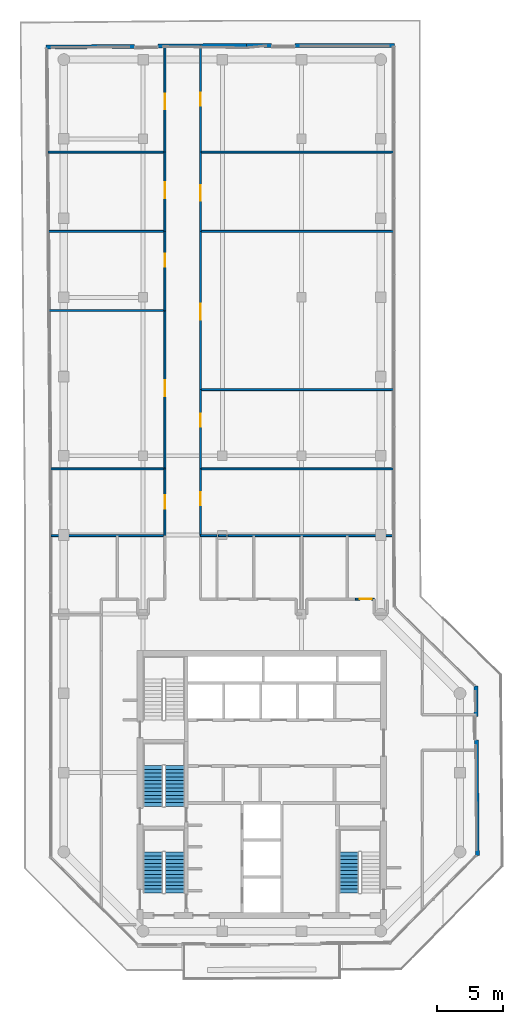
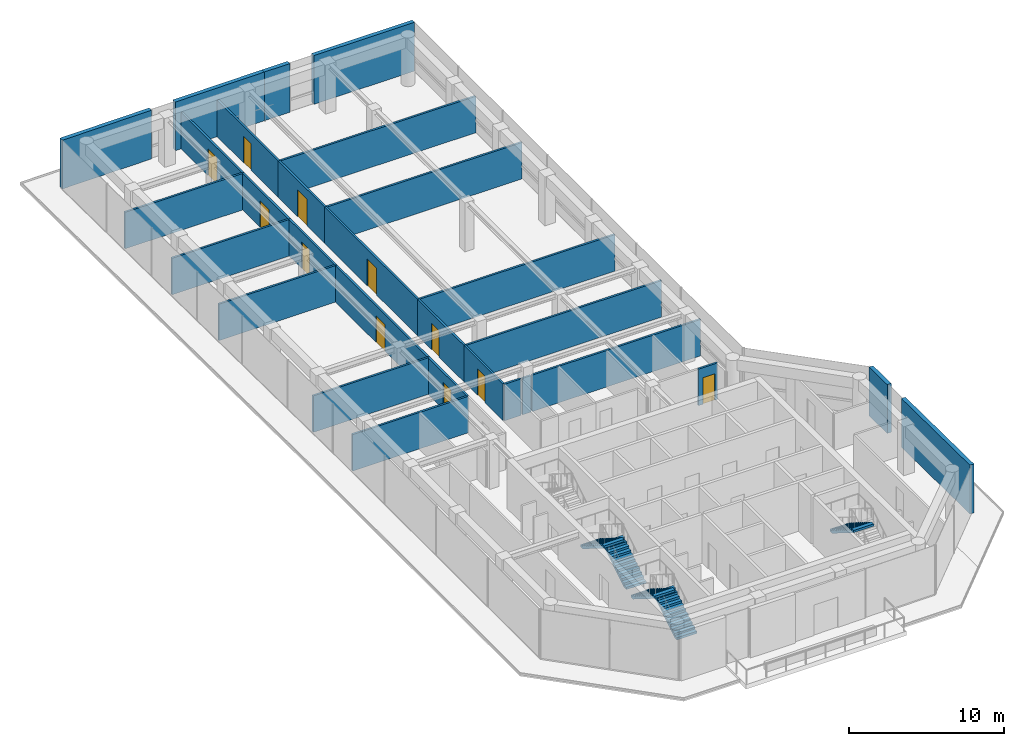
# One storey, part 16 of 19: 29 walls, 11 doors, 5 stair flights, 11 openings, 3 elements without a shape of their own.
"""IFC4 building model written with IfcOpenShell, lengths in metres."""

from ifc_helpers import new_model, si_unit, direction, frame, frame_2d, origin, place, context, subcontext, project, spatial, polyline, rectangle, outline, extrude, material, layer, layer_set, type_object, element, fill, aggregate, save


model = new_model("IFC4")

# Units and contexts
model_context = context("Model", 3, precision=1e-05, world=origin(), true_north=direction((0.0, 1.0)))
body_context = subcontext(model_context, "Body", "Model", "MODEL_VIEW")
ifc_project = project(units=[si_unit("LENGTHUNIT", "METRE"), si_unit("AREAUNIT", "SQUARE_METRE"), si_unit("VOLUMEUNIT", "CUBIC_METRE"), si_unit("PLANEANGLEUNIT", "RADIAN"), si_unit("MASSUNIT", "GRAM", prefix="KILO")], contexts=[model_context])

# Site, building, storey
site_placement = place(None, origin())
site = spatial("IfcSite", under=ifc_project, at=site_placement, CompositionType="ELEMENT")
building_placement = place(site_placement, origin())
building = spatial("IfcBuilding", under=site, at=building_placement, Name="Welwitschia Terrace Campus", CompositionType="ELEMENT")
storey_placement = place(building_placement, frame((0.0, 0.0, 226.39990234375)))
storey = spatial("IfcBuildingStorey", under=building, at=storey_placement, Name="L50", CompositionType="ELEMENT", Elevation=226.39990234375)

# Walls
ifc_material_1 = material(Name="Gypsum board on steel studs", Category="steel")
ifc_layer_1 = layer(ifc_material_1, 0.14990234375)
ifc_layer_set_1 = layer_set([ifc_layer_1], Name="Gypsum board on steel studs")
wall_type_1 = type_object("IfcWallType", Name="Corridor partition 150 EI 30", PredefinedType="PARTITIONING", material=ifc_layer_set_1)
wall_1_placement = place(storey_placement, frame((-1.2099609375, 63.0, 0.0), z_axis=(0.0, 0.0, 1.0), x_axis=(1.0, 0.0, 0.0)))
element("IfcWall", 1, at=wall_1_placement, inside=storey, type_object=wall_type_1, Name="Partition", PredefinedType="PARTITIONING", context=body_context, shape_type="SweptSolid", body=[
    extrude(rectangle(XDim=8.85986328125, YDim=0.14990234375, at=frame_2d((4.429931640625, 0.0))), origin(), (0.0, 0.0, 1.0), 2.880126953125),
])
wall_2_placement = place(storey_placement, frame((-1.159912109375, 57.0, 0.0), z_axis=(0.0, 0.0, 1.0), x_axis=(1.0, 0.0, 0.0)))
element("IfcWall", 2, at=wall_2_placement, inside=storey, type_object=wall_type_1, Name="Partition", PredefinedType="PARTITIONING", context=body_context, shape_type="SweptSolid", body=[
    extrude(rectangle(XDim=8.809814453125, YDim=0.14990234375, at=frame_2d((4.40478515625, 0.0))), origin(), (0.0, 0.0, 1.0), 2.880126953125),
])
wall_3_placement = place(storey_placement, frame((-1.110107421875, 51.0, 0.0), z_axis=(0.0, 0.0, 1.0), x_axis=(1.0, 0.0, 0.0)))
element("IfcWall", 3, at=wall_3_placement, inside=storey, type_object=wall_type_1, Name="Partition", PredefinedType="PARTITIONING", context=body_context, shape_type="SweptSolid", body=[
    extrude(rectangle(XDim=8.760009765625, YDim=0.14990234375, at=frame_2d((4.3798828125, 0.0))), origin(), (0.0, 0.0, 1.0), 2.880126953125),
])
wall_4_placement = place(storey_placement, frame((-1.0, 39.0, 0.0), z_axis=(0.0, 0.0, 1.0), x_axis=(1.0, 0.0, 0.0)))
element("IfcWall", 4, at=wall_4_placement, inside=storey, type_object=wall_type_1, Name="Partition", PredefinedType="PARTITIONING", context=body_context, shape_type="SweptSolid", body=[
    extrude(rectangle(XDim=8.64990234375, YDim=0.14990234375, at=frame_2d((4.324951171875, 0.0))), origin(), (0.0, 0.0, 1.0), 2.880126953125),
])
wall_5_placement = place(storey_placement, frame((-0.97998046875, 33.949951171875, 0.0), z_axis=(0.0, 0.0, 1.0), x_axis=(1.0, 0.0, 0.0)))
element("IfcWall", 5, at=wall_5_placement, inside=storey, type_object=wall_type_1, Name="Partition", PredefinedType="PARTITIONING", context=body_context, shape_type="SweptSolid", body=[
    extrude(rectangle(XDim=8.6298828125, YDim=0.14990234375, at=frame_2d((4.31494140625, 0.0))), origin(), (0.0, 0.0, 1.0), 2.880126953125),
])

# Wall, opening, door
wall_6_placement = place(storey_placement, frame((7.64990234375, 33.949951171875, 0.0), z_axis=(0.0, 0.0, 1.0), x_axis=(0.0, 1.0, 0.0)))
wall_6 = element("IfcWall", 6, at=wall_6_placement, inside=storey, type_object=wall_type_1, Name="Partition", PredefinedType="PARTITIONING", context=body_context, shape_type="SweptSolid", body=[
    extrude(rectangle(XDim=5.050048828125, YDim=0.14990234375, at=frame_2d((2.52490234375, 0.0))), origin(), (0.0, 0.0, 1.0), 2.880126953125),
])
opening_1_placement = place(wall_6_placement, frame((2.050048828125, 0.0, 0.0)))
opening_1 = element("IfcOpeningElement", 7, at=opening_1_placement, cuts=wall_6, Name="Opening DI10", PredefinedType="OPENING", context=body_context, shape_type="SweptSolid", body=[
    extrude(rectangle(XDim=1.0, YDim=2.10009765625, at=frame_2d((0.5, 1.050048828125))), frame((0.0, 0.0849609375, 0.0), z_axis=(0.0, -1.0, 0.0), x_axis=(1.0, 0.0, 0.0)), (0.0, 0.0, 1.0), 0.169921875),
])
ifc_material_2 = material(Name="Timber veneered door", Category="wood")
door_type_1 = type_object("IfcDoorType", Name="Interior door DI10", OperationType="NOTDEFINED", PredefinedType="DOOR", material=ifc_material_2)
door_1_placement = place(opening_1_placement, origin())
door_1 = element("IfcDoor", 8, at=door_1_placement, inside=storey, type_object=door_type_1, Name="Door L50 933", OperationType="SINGLE_SWING_RIGHT", OverallHeight=2.10009765625, OverallWidth=1.0, PredefinedType="DOOR", context=body_context, shape_type="SweptSolid", body=[
    extrude(rectangle(XDim=1.0, YDim=2.10009765625, at=frame_2d((0.5, 1.050048828125))), frame((0.0, 0.02490234375, 0.0), z_axis=(0.0, -1.0, 0.0), x_axis=(1.0, 0.0, 0.0)), (0.0, 0.0, 1.0), 0.050048828125),
])
fill(opening_1, door_1)

wall_7_placement = place(storey_placement, frame((7.64990234375, 51.0, 0.0), z_axis=(0.0, 0.0, 1.0), x_axis=(0.0, -1.0, 0.0)))
wall_7 = element("IfcWall", 9, at=wall_7_placement, inside=storey, type_object=wall_type_1, Name="Partition", PredefinedType="PARTITIONING", context=body_context, shape_type="SweptSolid", body=[
    extrude(rectangle(XDim=12.0, YDim=0.14990234375, at=frame_2d((6.0, 0.0))), origin(), (0.0, 0.0, 1.0), 2.880126953125),
])
opening_2_placement = place(wall_7_placement, frame((5.300048828125, 0.0, 0.0)))
opening_2 = element("IfcOpeningElement", 10, at=opening_2_placement, cuts=wall_7, Name="Opening DI12", PredefinedType="OPENING", context=body_context, shape_type="SweptSolid", body=[
    extrude(rectangle(XDim=1.199951171875, YDim=2.10009765625, at=frame_2d((0.60009765625, 1.050048828125))), frame((0.0, 0.0849609375, 0.0), z_axis=(0.0, -1.0, 0.0), x_axis=(1.0, 0.0, 0.0)), (0.0, 0.0, 1.0), 0.169921875),
])
ifc_material_3 = material(Name="Timber veneered door", Category="wood")
door_type_2 = type_object("IfcDoorType", Name="Interior door DI12", OperationType="NOTDEFINED", PredefinedType="DOOR", material=ifc_material_3)
door_2_placement = place(opening_2_placement, origin())
door_2 = element("IfcDoor", 11, at=door_2_placement, inside=storey, type_object=door_type_2, Name="Door L50 934", OperationType="SINGLE_SWING_LEFT", OverallHeight=2.10009765625, OverallWidth=1.199951171875, PredefinedType="DOOR", context=body_context, shape_type="SweptSolid", body=[
    extrude(rectangle(XDim=1.199951171875, YDim=2.10009765625, at=frame_2d((0.60009765625, 1.050048828125))), frame((0.0, 0.02490234375, 0.0), z_axis=(0.0, -1.0, 0.0), x_axis=(1.0, 0.0, 0.0)), (0.0, 0.0, 1.0), 0.050048828125),
])
fill(opening_2, door_2)

wall_8_placement = place(storey_placement, frame((7.64990234375, 51.0, 0.0), z_axis=(0.0, 0.0, 1.0), x_axis=(0.0, 1.0, 0.0)))
wall_8 = element("IfcWall", 12, at=wall_8_placement, inside=storey, type_object=wall_type_1, Name="Partition", PredefinedType="PARTITIONING", context=body_context, shape_type="SweptSolid", body=[
    extrude(rectangle(XDim=6.0, YDim=0.14990234375, at=frame_2d((3.0, 0.0))), origin(), (0.0, 0.0, 1.0), 2.880126953125),
])
opening_3_placement = place(wall_8_placement, frame((3.300048828125, 0.0, 0.0)))
opening_3 = element("IfcOpeningElement", 13, at=opening_3_placement, cuts=wall_8, Name="Opening DI10", PredefinedType="OPENING", context=body_context, shape_type="SweptSolid", body=[
    extrude(rectangle(XDim=1.0, YDim=2.10009765625, at=frame_2d((0.5, 1.050048828125))), frame((0.0, 0.0849609375, 0.0), z_axis=(0.0, -1.0, 0.0), x_axis=(1.0, 0.0, 0.0)), (0.0, 0.0, 1.0), 0.169921875),
])
door_3_placement = place(opening_3_placement, origin())
door_3 = element("IfcDoor", 14, at=door_3_placement, inside=storey, type_object=door_type_1, Name="Door L50 935", OperationType="SINGLE_SWING_RIGHT", OverallHeight=2.10009765625, OverallWidth=1.0, PredefinedType="DOOR", context=body_context, shape_type="SweptSolid", body=[
    extrude(rectangle(XDim=1.0, YDim=2.10009765625, at=frame_2d((0.5, 1.050048828125))), frame((0.0, 0.02490234375, 0.0), z_axis=(0.0, -1.0, 0.0), x_axis=(1.0, 0.0, 0.0)), (0.0, 0.0, 1.0), 0.050048828125),
])
fill(opening_3, door_3)

wall_9_placement = place(storey_placement, frame((7.64990234375, 63.0, 0.0), z_axis=(0.0, 0.0, 1.0), x_axis=(0.0, -1.0, 0.0)))
wall_9 = element("IfcWall", 15, at=wall_9_placement, inside=storey, type_object=wall_type_1, Name="Partition", PredefinedType="PARTITIONING", context=body_context, shape_type="SweptSolid", body=[
    extrude(rectangle(XDim=6.0, YDim=0.14990234375, at=frame_2d((3.0, 0.0))), origin(), (0.0, 0.0, 1.0), 2.880126953125),
])
opening_4_placement = place(wall_9_placement, frame((2.300048828125, 0.0, 0.0)))
opening_4 = element("IfcOpeningElement", 16, at=opening_4_placement, cuts=wall_9, Name="Opening DI12", PredefinedType="OPENING", context=body_context, shape_type="SweptSolid", body=[
    extrude(rectangle(XDim=1.199951171875, YDim=2.10009765625, at=frame_2d((0.60009765625, 1.050048828125))), frame((0.0, 0.0849609375, 0.0), z_axis=(0.0, -1.0, 0.0), x_axis=(1.0, 0.0, 0.0)), (0.0, 0.0, 1.0), 0.169921875),
])
door_4_placement = place(opening_4_placement, origin())
door_4 = element("IfcDoor", 17, at=door_4_placement, inside=storey, type_object=door_type_2, Name="Door L50 936", OperationType="SINGLE_SWING_LEFT", OverallHeight=2.10009765625, OverallWidth=1.199951171875, PredefinedType="DOOR", context=body_context, shape_type="SweptSolid", body=[
    extrude(rectangle(XDim=1.199951171875, YDim=2.10009765625, at=frame_2d((0.60009765625, 1.050048828125))), frame((0.0, 0.02490234375, 0.0), z_axis=(0.0, -1.0, 0.0), x_axis=(1.0, 0.0, 0.0)), (0.0, 0.0, 1.0), 0.050048828125),
])
fill(opening_4, door_4)

wall_10_placement = place(storey_placement, frame((7.64990234375, 71.0361328125, 0.0), z_axis=(0.0, 0.0, 1.0), x_axis=(0.0, -1.0, 0.0)))
wall_10 = element("IfcWall", 18, at=wall_10_placement, inside=storey, type_object=wall_type_1, Name="Partition", PredefinedType="PARTITIONING", context=body_context, shape_type="SweptSolid", body=[
    extrude(rectangle(XDim=8.0361328125, YDim=0.14990234375, at=frame_2d((4.01806640625, 0.0))), origin(), (0.0, 0.0, 1.0), 2.880126953125),
])
opening_5_placement = place(wall_10_placement, frame((3.606201171875, 0.0, 0.0)))
opening_5 = element("IfcOpeningElement", 19, at=opening_5_placement, cuts=wall_10, Name="Opening DI12", PredefinedType="OPENING", context=body_context, shape_type="SweptSolid", body=[
    extrude(rectangle(XDim=1.199951171875, YDim=2.10009765625, at=frame_2d((0.60009765625, 1.050048828125))), frame((0.0, 0.0849609375, 0.0), z_axis=(0.0, -1.0, 0.0), x_axis=(1.0, 0.0, 0.0)), (0.0, 0.0, 1.0), 0.169921875),
])
door_5_placement = place(opening_5_placement, origin())
door_5 = element("IfcDoor", 20, at=door_5_placement, inside=storey, type_object=door_type_2, Name="Door L50 937", OperationType="SINGLE_SWING_RIGHT", OverallHeight=2.10009765625, OverallWidth=1.199951171875, PredefinedType="DOOR", context=body_context, shape_type="SweptSolid", body=[
    extrude(rectangle(XDim=1.199951171875, YDim=2.10009765625, at=frame_2d((0.60009765625, 1.050048828125))), frame((0.0, 0.02490234375, 0.0), z_axis=(0.0, -1.0, 0.0), x_axis=(1.0, 0.0, 0.0)), (0.0, 0.0, 1.0), 0.050048828125),
])
fill(opening_5, door_5)

# Wall
wall_11_placement = place(storey_placement, frame((10.35009765625, 33.949951171875, 0.0), z_axis=(0.0, 0.0, 1.0), x_axis=(1.0, 0.0, 0.0)))
element("IfcWall", 21, at=wall_11_placement, inside=storey, type_object=wall_type_1, Name="Partition", PredefinedType="PARTITIONING", context=body_context, shape_type="SweptSolid", body=[
    extrude(rectangle(XDim=1.241943359375, YDim=0.14990234375, at=frame_2d((0.62109375, 0.0))), origin(), (0.0, 0.0, 1.0), 2.880126953125),
])

# Wall, opening, door
wall_12_placement = place(storey_placement, frame((10.35009765625, 39.0, 0.0), z_axis=(0.0, 0.0, 1.0), x_axis=(0.0, -1.0, 0.0)))
wall_12 = element("IfcWall", 22, at=wall_12_placement, inside=storey, type_object=wall_type_1, Name="Partition", PredefinedType="PARTITIONING", context=body_context, shape_type="SweptSolid", body=[
    extrude(rectangle(XDim=5.050048828125, YDim=0.14990234375, at=frame_2d((2.52490234375, 0.0))), origin(), (0.0, 0.0, 1.0), 2.880126953125),
])
opening_6_placement = place(wall_12_placement, frame((1.75, 0.0, 0.0)))
opening_6 = element("IfcOpeningElement", 23, at=opening_6_placement, cuts=wall_12, Name="Opening DI10", PredefinedType="OPENING", context=body_context, shape_type="SweptSolid", body=[
    extrude(rectangle(XDim=1.0, YDim=2.10009765625, at=frame_2d((0.5, 1.050048828125))), frame((0.0, 0.0849609375, 0.0), z_axis=(0.0, -1.0, 0.0), x_axis=(1.0, 0.0, 0.0)), (0.0, 0.0, 1.0), 0.169921875),
])
door_6_placement = place(opening_6_placement, origin())
door_6 = element("IfcDoor", 24, at=door_6_placement, inside=storey, type_object=door_type_1, Name="Door L50 938", OperationType="SINGLE_SWING_LEFT", OverallHeight=2.10009765625, OverallWidth=1.0, PredefinedType="DOOR", context=body_context, shape_type="SweptSolid", body=[
    extrude(rectangle(XDim=1.0, YDim=2.10009765625, at=frame_2d((0.5, 1.050048828125))), frame((0.0, 0.02490234375, 0.0), z_axis=(0.0, -1.0, 0.0), x_axis=(1.0, 0.0, 0.0)), (0.0, 0.0, 1.0), 0.050048828125),
])
fill(opening_6, door_6)

# Wall
wall_13_placement = place(storey_placement, frame((10.35009765625, 39.0, 0.0), z_axis=(0.0, 0.0, 1.0), x_axis=(1.0, 0.0, 0.0)))
element("IfcWall", 25, at=wall_13_placement, inside=storey, type_object=wall_type_1, Name="Partition", PredefinedType="PARTITIONING", context=body_context, shape_type="SweptSolid", body=[
    extrude(rectangle(XDim=14.6298828125, YDim=0.14990234375, at=frame_2d((7.31494140625, 0.0))), origin(), (0.0, 0.0, 1.0), 2.880126953125),
])

# Wall, opening, door
wall_14_placement = place(storey_placement, frame((10.35009765625, 45.0, 0.0), z_axis=(0.0, 0.0, 1.0), x_axis=(0.0, -1.0, 0.0)))
wall_14 = element("IfcWall", 26, at=wall_14_placement, inside=storey, type_object=wall_type_1, Name="Partition", PredefinedType="PARTITIONING", context=body_context, shape_type="SweptSolid", body=[
    extrude(rectangle(XDim=6.0, YDim=0.14990234375, at=frame_2d((3.0, 0.0))), origin(), (0.0, 0.0, 1.0), 2.880126953125),
])
opening_7_placement = place(wall_14_placement, frame((1.800048828125, 0.0, 0.0)))
opening_7 = element("IfcOpeningElement", 27, at=opening_7_placement, cuts=wall_14, Name="Opening DI10", PredefinedType="OPENING", context=body_context, shape_type="SweptSolid", body=[
    extrude(rectangle(XDim=1.0, YDim=2.10009765625, at=frame_2d((0.5, 1.050048828125))), frame((0.0, 0.0849609375, 0.0), z_axis=(0.0, -1.0, 0.0), x_axis=(1.0, 0.0, 0.0)), (0.0, 0.0, 1.0), 0.169921875),
])
door_7_placement = place(opening_7_placement, origin())
door_7 = element("IfcDoor", 28, at=door_7_placement, inside=storey, type_object=door_type_1, Name="Door L50 939", OperationType="SINGLE_SWING_RIGHT", OverallHeight=2.10009765625, OverallWidth=1.0, PredefinedType="DOOR", context=body_context, shape_type="SweptSolid", body=[
    extrude(rectangle(XDim=1.0, YDim=2.10009765625, at=frame_2d((0.5, 1.050048828125))), frame((0.0, 0.02490234375, 0.0), z_axis=(0.0, -1.0, 0.0), x_axis=(1.0, 0.0, 0.0)), (0.0, 0.0, 1.0), 0.050048828125),
])
fill(opening_7, door_7)

wall_15_placement = place(storey_placement, frame((10.35009765625, 45.0, 0.0), z_axis=(0.0, 0.0, 1.0), x_axis=(0.0, 1.0, 0.0)))
wall_15 = element("IfcWall", 29, at=wall_15_placement, inside=storey, type_object=wall_type_1, Name="Partition", PredefinedType="PARTITIONING", context=body_context, shape_type="SweptSolid", body=[
    extrude(rectangle(XDim=12.0, YDim=0.14990234375, at=frame_2d((6.0, 0.0))), origin(), (0.0, 0.0, 1.0), 2.880126953125),
])
opening_8_placement = place(wall_15_placement, frame((5.300048828125, 0.0, 0.0)))
opening_8 = element("IfcOpeningElement", 30, at=opening_8_placement, cuts=wall_15, Name="Opening DI12", PredefinedType="OPENING", context=body_context, shape_type="SweptSolid", body=[
    extrude(rectangle(XDim=1.199951171875, YDim=2.10009765625, at=frame_2d((0.60009765625, 1.050048828125))), frame((0.0, 0.0849609375, 0.0), z_axis=(0.0, -1.0, 0.0), x_axis=(1.0, 0.0, 0.0)), (0.0, 0.0, 1.0), 0.169921875),
])
door_8_placement = place(opening_8_placement, origin())
door_8 = element("IfcDoor", 31, at=door_8_placement, inside=storey, type_object=door_type_2, Name="Door L50 940", OperationType="SINGLE_SWING_LEFT", OverallHeight=2.10009765625, OverallWidth=1.199951171875, PredefinedType="DOOR", context=body_context, shape_type="SweptSolid", body=[
    extrude(rectangle(XDim=1.199951171875, YDim=2.10009765625, at=frame_2d((0.60009765625, 1.050048828125))), frame((0.0, 0.02490234375, 0.0), z_axis=(0.0, -1.0, 0.0), x_axis=(1.0, 0.0, 0.0)), (0.0, 0.0, 1.0), 0.050048828125),
])
fill(opening_8, door_8)

# Wall
wall_16_placement = place(storey_placement, frame((10.35009765625, 45.0, 0.0), z_axis=(0.0, 0.0, 1.0), x_axis=(1.0, 0.0, 0.0)))
element("IfcWall", 32, at=wall_16_placement, inside=storey, type_object=wall_type_1, Name="Partition", PredefinedType="PARTITIONING", context=body_context, shape_type="SweptSolid", body=[
    extrude(rectangle(XDim=14.6298828125, YDim=0.14990234375, at=frame_2d((7.31494140625, 0.0))), origin(), (0.0, 0.0, 1.0), 2.880126953125),
])

# Wall, opening, door
wall_17_placement = place(storey_placement, frame((10.35009765625, 57.0, 0.0), z_axis=(0.0, 0.0, 1.0), x_axis=(0.0, 1.0, 0.0)))
wall_17 = element("IfcWall", 33, at=wall_17_placement, inside=storey, type_object=wall_type_1, Name="Partition", PredefinedType="PARTITIONING", context=body_context, shape_type="SweptSolid", body=[
    extrude(rectangle(XDim=6.0, YDim=0.14990234375, at=frame_2d((3.0, 0.0))), origin(), (0.0, 0.0, 1.0), 2.880126953125),
])
opening_9_placement = place(wall_17_placement, frame((2.300048828125, 0.0, 0.0)))
opening_9 = element("IfcOpeningElement", 34, at=opening_9_placement, cuts=wall_17, Name="Opening DI12", PredefinedType="OPENING", context=body_context, shape_type="SweptSolid", body=[
    extrude(rectangle(XDim=1.199951171875, YDim=2.10009765625, at=frame_2d((0.60009765625, 1.050048828125))), frame((0.0, 0.0849609375, 0.0), z_axis=(0.0, -1.0, 0.0), x_axis=(1.0, 0.0, 0.0)), (0.0, 0.0, 1.0), 0.169921875),
])
door_9_placement = place(opening_9_placement, origin())
door_9 = element("IfcDoor", 35, at=door_9_placement, inside=storey, type_object=door_type_2, Name="Door L50 941", OperationType="SINGLE_SWING_RIGHT", OverallHeight=2.10009765625, OverallWidth=1.199951171875, PredefinedType="DOOR", context=body_context, shape_type="SweptSolid", body=[
    extrude(rectangle(XDim=1.199951171875, YDim=2.10009765625, at=frame_2d((0.60009765625, 1.050048828125))), frame((0.0, 0.02490234375, 0.0), z_axis=(0.0, -1.0, 0.0), x_axis=(1.0, 0.0, 0.0)), (0.0, 0.0, 1.0), 0.050048828125),
])
fill(opening_9, door_9)

# Walls
for number, where, z_axis, x_axis, name in (
    (36, (10.35009765625, 57.0, 0.0), (0.0, 0.0, 1.0), (1.0, 0.0, 0.0), "Partition"),
    (37, (10.35009765625, 63.0, 0.0), (0.0, 0.0, 1.0), (1.0, 0.0, 0.0), "Partition"),
):
    element("IfcWall", number, at=place(storey_placement, frame(where, z_axis=z_axis, x_axis=x_axis)), inside=storey, type_object=wall_type_1, Name=name, PredefinedType="PARTITIONING", context=body_context, shape_type="SweptSolid", body=[
        extrude(rectangle(XDim=14.6298828125, YDim=0.14990234375, at=frame_2d((7.31494140625, 0.0))), origin(), (0.0, 0.0, 1.0), 2.880126953125),
    ])

# Wall, opening, door
wall_18_placement = place(storey_placement, frame((10.35009765625, 71.059814453125, 0.0), z_axis=(0.0, 0.0, 1.0), x_axis=(0.0, -1.0, 0.0)))
wall_18 = element("IfcWall", 38, at=wall_18_placement, inside=storey, type_object=wall_type_1, Name="Partition", PredefinedType="PARTITIONING", context=body_context, shape_type="SweptSolid", body=[
    extrude(rectangle(XDim=8.059814453125, YDim=0.14990234375, at=frame_2d((4.02978515625, 0.0))), origin(), (0.0, 0.0, 1.0), 2.880126953125),
])
opening_10_placement = place(wall_18_placement, frame((3.559814453125, 0.0, 0.0)))
opening_10 = element("IfcOpeningElement", 39, at=opening_10_placement, cuts=wall_18, Name="Opening DI10", PredefinedType="OPENING", context=body_context, shape_type="SweptSolid", body=[
    extrude(rectangle(XDim=1.0, YDim=2.10009765625, at=frame_2d((0.5, 1.050048828125))), frame((0.0, 0.0849609375, 0.0), z_axis=(0.0, -1.0, 0.0), x_axis=(1.0, 0.0, 0.0)), (0.0, 0.0, 1.0), 0.169921875),
])
door_10_placement = place(opening_10_placement, origin())
door_10 = element("IfcDoor", 40, at=door_10_placement, inside=storey, type_object=door_type_1, Name="Door L50 942", OperationType="SINGLE_SWING_LEFT", OverallHeight=2.10009765625, OverallWidth=1.0, PredefinedType="DOOR", context=body_context, shape_type="SweptSolid", body=[
    extrude(rectangle(XDim=1.0, YDim=2.10009765625, at=frame_2d((0.5, 1.050048828125))), frame((0.0, 0.02490234375, 0.0), z_axis=(0.0, -1.0, 0.0), x_axis=(1.0, 0.0, 0.0)), (0.0, 0.0, 1.0), 0.050048828125),
])
fill(opening_10, door_10)

# Walls
wall_19_placement = place(storey_placement, frame((11.695556640625, 33.949951171875, 0.0), z_axis=(0.0, 0.0, 1.0), x_axis=(1.0, 0.0, 0.0)))
element("IfcWall", 41, at=wall_19_placement, inside=storey, type_object=wall_type_1, Name="Partition", PredefinedType="PARTITIONING", context=body_context, shape_type="SweptSolid", body=[
    extrude(rectangle(XDim=0.620849609375, YDim=0.14990234375, at=frame_2d((0.310546875, 0.0))), origin(), (0.0, 0.0, 1.0), 2.880126953125),
])
wall_20_placement = place(storey_placement, frame((12.419921875, 33.949951171875, 0.0), z_axis=(0.0, 0.0, 1.0), x_axis=(1.0, 0.0, 0.0)))
element("IfcWall", 42, at=wall_20_placement, inside=storey, type_object=wall_type_1, Name="Partition", PredefinedType="PARTITIONING", context=body_context, shape_type="SweptSolid", body=[
    extrude(rectangle(XDim=12.580078125, YDim=0.14990234375, at=frame_2d((6.2900390625, 0.0))), origin(), (0.0, 0.0, 1.0), 2.880126953125),
])

# Wall, opening, door
wall_21_placement = place(storey_placement, frame((22.070068359375, 29.14990234375, 0.0), z_axis=(0.0, 0.0, 1.0), x_axis=(1.0, 0.0, 0.0)))
wall_21 = element("IfcWall", 43, at=wall_21_placement, inside=storey, type_object=wall_type_1, Name="Partition", PredefinedType="PARTITIONING", context=body_context, shape_type="SweptSolid", body=[
    extrude(rectangle(XDim=1.429931640625, YDim=0.14990234375, at=frame_2d((0.71484375, 0.0))), origin(), (0.0, 0.0, 1.0), 2.880126953125),
])
opening_11_placement = place(wall_21_placement, frame((0.330078125, 0.0, 0.0)))
opening_11 = element("IfcOpeningElement", 44, at=opening_11_placement, cuts=wall_21, Name="Opening DI09", PredefinedType="OPENING", context=body_context, shape_type="SweptSolid", body=[
    extrude(rectangle(XDim=0.89990234375, YDim=2.10009765625, at=frame_2d((0.449951171875, 1.050048828125))), frame((0.0, 0.0849609375, 0.0), z_axis=(0.0, -1.0, 0.0), x_axis=(1.0, 0.0, 0.0)), (0.0, 0.0, 1.0), 0.169921875),
])
ifc_material_4 = material(Name="Timber veneered door", Category="wood")
door_type_3 = type_object("IfcDoorType", Name="Interior door DI09", OperationType="NOTDEFINED", PredefinedType="DOOR", material=ifc_material_4)
door_11_placement = place(opening_11_placement, origin())
door_11 = element("IfcDoor", 45, at=door_11_placement, inside=storey, type_object=door_type_3, Name="Door L50 945", OperationType="SINGLE_SWING_RIGHT", OverallHeight=2.10009765625, OverallWidth=0.89990234375, PredefinedType="DOOR", context=body_context, shape_type="SweptSolid", body=[
    extrude(rectangle(XDim=0.89990234375, YDim=2.10009765625, at=frame_2d((0.449951171875, 1.050048828125))), frame((0.0, 0.02490234375, 0.0), z_axis=(0.0, -1.0, 0.0), x_axis=(1.0, 0.0, 0.0)), (0.0, 0.0, 1.0), 0.050048828125),
])
fill(opening_11, door_11)

# Walls
ifc_material_5 = material(Name="Concrete C40/50", Category="concrete")
ifc_layer_2 = layer(ifc_material_5, 0.300048828125)
ifc_layer_set_2 = layer_set([ifc_layer_2], Name="Concrete C40/50")
wall_type_2 = type_object("IfcWallType", Name="Mass wall 300", PredefinedType="SOLIDWALL", material=ifc_layer_set_2)
wall_22_placement = place(storey_placement, frame((31.31298828125, 9.7236328125, 0.0), z_axis=(0.0, 0.0, 1.0), x_axis=(-0.008715239699, 0.999962021577, 0.0)))
element("IfcWall", 46, at=wall_22_placement, inside=storey, type_object=wall_type_2, Name="Mass wall L50.6.0", PredefinedType="SOLIDWALL", context=body_context, shape_type="SweptSolid", body=[
    extrude(rectangle(XDim=8.739990234375, YDim=0.300048828125, at=frame_2d((4.3701171875, 0.0))), origin(), (0.0, 0.0, 1.0), 3.85009765625),
])
wall_23_placement = place(storey_placement, frame((31.220947265625, 20.26318359375, 0.0), z_axis=(0.0, 0.0, 1.0), x_axis=(-0.008654029484, 0.999962553186, 0.0)))
element("IfcWall", 47, at=wall_23_placement, inside=storey, type_object=wall_type_2, Name="Mass wall L50.6.1", PredefinedType="SOLIDWALL", context=body_context, shape_type="SweptSolid", body=[
    extrude(rectangle(XDim=2.313232421875, YDim=0.300048828125, at=frame_2d((1.15673828125, 0.0))), origin(), (0.0, 0.0, 1.0), 3.85009765625),
])
wall_24_placement = place(storey_placement, frame((25.030029296875, 71.078125, 0.0), z_axis=(0.0, 0.0, 1.0), x_axis=(-1.0, 0.0, 0.0)))
element("IfcWall", 48, at=wall_24_placement, inside=storey, type_object=wall_type_2, Name="Mass wall L50.10.0", PredefinedType="SOLIDWALL", context=body_context, shape_type="SweptSolid", body=[
    extrude(rectangle(XDim=7.506103515625, YDim=0.300048828125, at=frame_2d((3.7529296875, 0.0))), origin(), (0.0, 0.0, 1.0), 3.85009765625),
])
wall_25_placement = place(storey_placement, frame((15.723876953125, 71.080078125, 0.0), z_axis=(0.0, 0.0, 1.0), x_axis=(-1.0, 0.0, 0.0)))
element("IfcWall", 49, at=wall_25_placement, inside=storey, type_object=wall_type_2, Name="Mass wall L50.10.1", PredefinedType="SOLIDWALL", context=body_context, shape_type="SweptSolid", body=[
    extrude(rectangle(XDim=1.902099609375, YDim=0.300048828125, at=frame_2d((0.951171875, 0.0))), origin(), (0.0, 0.0, 1.0), 3.85009765625),
])
wall_26_placement = place(storey_placement, frame((13.8212890625, 71.080078125, 0.0), z_axis=(0.0, 0.0, 1.0), x_axis=(-0.999961815264, -0.008738879401, 0.0)))
element("IfcWall", 50, at=wall_26_placement, inside=storey, type_object=wall_type_2, Name="Mass wall L50.11.0", PredefinedType="SOLIDWALL", context=body_context, shape_type="SweptSolid", body=[
    extrude(rectangle(XDim=6.677001953125, YDim=0.300048828125, at=frame_2d((3.33837890625, 0.0))), origin(), (0.0, 0.0, 1.0), 3.85009765625),
])
wall_27_placement = place(storey_placement, frame((5.3447265625, 71.004150390625, 0.0), z_axis=(0.0, 0.0, 1.0), x_axis=(-0.999961818057, -0.008738559893, 0.0)))
element("IfcWall", 51, at=wall_27_placement, inside=storey, type_object=wall_type_2, Name="Mass wall L50.11.1", PredefinedType="SOLIDWALL", context=body_context, shape_type="SweptSolid", body=[
    extrude(rectangle(XDim=6.67724609375, YDim=0.300048828125, at=frame_2d((3.338623046875, 0.0))), origin(), (0.0, 0.0, 1.0), 3.85009765625),
])

# Stair, stair flights
ifc_material_6 = material(Name="Concrete C40/50", Category="concrete")
stair_type = type_object("IfcStairType", Name="Stair 24R 175 W1500", PredefinedType="HALF_TURN_STAIR", material=ifc_material_6)
stair_1_placement = place(storey_placement, origin())
stair_1 = element("IfcStair", 52, at=stair_1_placement, inside=storey, type_object=stair_type, Name="L50 Exit stair S1", PredefinedType="HALF_TURN_STAIR")
ifc_material_7 = material(Name="Concrete C40/50", Category="concrete")
stair_flight_type = type_object("IfcStairFlightType", Name="Stair flight 24R 175 W1500", PredefinedType="STRAIGHT", material=ifc_material_7)
stair_flight_1_placement = place(storey_placement, frame((8.39990234375, 6.89990234375, 0.0), z_axis=(0.0, 0.0, 1.0), x_axis=(0.0, 1.0, 0.0)))
stair_flight_1 = element("IfcStairFlight", 53, at=stair_flight_1_placement, type_object=stair_flight_type, Name="S1 flight 1", NumberOfRisers=12, NumberOfTreads=11, PredefinedType="STRAIGHT", RiserHeight=0.175, TreadLength=0.28, context=body_context, shape_type="SweptSolid", body=[
    extrude(outline(polyline([(0.0, 0.0), (0.0, 0.175048828125), (0.280029296875, 0.175048828125), (0.280029296875, 0.35009765625), (0.56005859375, 0.35009765625), (0.56005859375, 0.52490234375), (0.840087890625, 0.52490234375), (0.840087890625, 0.699951171875), (1.1201171875, 0.699951171875), (1.1201171875, 0.875), (1.39990234375, 0.875), (1.39990234375, 1.050048828125), (1.679931640625, 1.050048828125), (1.679931640625, 1.22509765625), (1.9599609375, 1.22509765625), (1.9599609375, 1.39990234375), (2.239990234375, 1.39990234375), (2.239990234375, 1.574951171875), (2.52001953125, 1.574951171875), (2.52001953125, 1.75), (2.800048828125, 1.75), (2.800048828125, 1.925048828125), (3.080078125, 1.925048828125), (3.080078125, 2.10009765625), (3.080078125, 1.748291015625), (0.28271484375, 0.0), (0.0, 0.0)])), frame((0.0, 0.75, 0.0), z_axis=(0.0, -1.0, 0.0), x_axis=(1.0, 0.0, 0.0)), (0.0, 0.0, 1.0), 1.5),
])
stair_flight_2_placement = place(storey_placement, frame((6.75, 9.97998046875, 2.10009765625), z_axis=(0.0, 0.0, 1.0), x_axis=(0.0, -1.0, 0.0)))
stair_flight_2 = element("IfcStairFlight", 54, at=stair_flight_2_placement, type_object=stair_flight_type, Name="S1 flight 2", NumberOfRisers=12, NumberOfTreads=11, PredefinedType="STRAIGHT", RiserHeight=0.175, TreadLength=0.28, context=body_context, shape_type="SweptSolid", body=[
    extrude(outline(polyline([(0.0, 0.0), (0.0, 0.175048828125), (0.280029296875, 0.175048828125), (0.280029296875, 0.35009765625), (0.56005859375, 0.35009765625), (0.56005859375, 0.52490234375), (0.840087890625, 0.52490234375), (0.840087890625, 0.699951171875), (1.1201171875, 0.699951171875), (1.1201171875, 0.875), (1.39990234375, 0.875), (1.39990234375, 1.050048828125), (1.679931640625, 1.050048828125), (1.679931640625, 1.22509765625), (1.9599609375, 1.22509765625), (1.9599609375, 1.39990234375), (2.239990234375, 1.39990234375), (2.239990234375, 1.574951171875), (2.52001953125, 1.574951171875), (2.52001953125, 1.75), (2.800048828125, 1.75), (2.800048828125, 1.925048828125), (3.080078125, 1.925048828125), (3.080078125, 2.10009765625), (3.080078125, 1.748291015625), (0.28271484375, 0.0), (0.0, 0.0)])), frame((0.0, 0.75, 0.0), z_axis=(0.0, -1.0, 0.0), x_axis=(1.0, 0.0, 0.0)), (0.0, 0.0, 1.0), 1.5),
])
aggregate(stair_1, [stair_flight_1, stair_flight_2])

stair_2_placement = place(storey_placement, origin())
stair_2 = element("IfcStair", 55, at=stair_2_placement, inside=storey, type_object=stair_type, Name="L50 Exit stair S3", PredefinedType="HALF_TURN_STAIR")
stair_flight_3_placement = place(storey_placement, frame((8.39990234375, 13.449951171875, 0.0), z_axis=(0.0, 0.0, 1.0), x_axis=(0.0, 1.0, 0.0)))
stair_flight_3 = element("IfcStairFlight", 56, at=stair_flight_3_placement, type_object=stair_flight_type, Name="S3 flight 1", NumberOfRisers=12, NumberOfTreads=11, PredefinedType="STRAIGHT", RiserHeight=0.175, TreadLength=0.28, context=body_context, shape_type="SweptSolid", body=[
    extrude(outline(polyline([(0.0, 0.0), (0.0, 0.175048828125), (0.280029296875, 0.175048828125), (0.280029296875, 0.35009765625), (0.56005859375, 0.35009765625), (0.56005859375, 0.52490234375), (0.840087890625, 0.52490234375), (0.840087890625, 0.699951171875), (1.1201171875, 0.699951171875), (1.1201171875, 0.875), (1.39990234375, 0.875), (1.39990234375, 1.050048828125), (1.679931640625, 1.050048828125), (1.679931640625, 1.22509765625), (1.9599609375, 1.22509765625), (1.9599609375, 1.39990234375), (2.239990234375, 1.39990234375), (2.239990234375, 1.574951171875), (2.52001953125, 1.574951171875), (2.52001953125, 1.75), (2.800048828125, 1.75), (2.800048828125, 1.925048828125), (3.080078125, 1.925048828125), (3.080078125, 2.10009765625), (3.080078125, 1.748291015625), (0.28271484375, 0.0), (0.0, 0.0)])), frame((0.0, 0.75, 0.0), z_axis=(0.0, -1.0, 0.0), x_axis=(1.0, 0.0, 0.0)), (0.0, 0.0, 1.0), 1.5),
])
stair_flight_4_placement = place(storey_placement, frame((6.75, 16.530029296875, 2.10009765625), z_axis=(0.0, 0.0, 1.0), x_axis=(0.0, -1.0, 0.0)))
stair_flight_4 = element("IfcStairFlight", 57, at=stair_flight_4_placement, type_object=stair_flight_type, Name="S3 flight 2", NumberOfRisers=12, NumberOfTreads=11, PredefinedType="STRAIGHT", RiserHeight=0.175, TreadLength=0.28, context=body_context, shape_type="SweptSolid", body=[
    extrude(outline(polyline([(0.0, 0.0), (0.0, 0.175048828125), (0.280029296875, 0.175048828125), (0.280029296875, 0.35009765625), (0.56005859375, 0.35009765625), (0.56005859375, 0.52490234375), (0.840087890625, 0.52490234375), (0.840087890625, 0.699951171875), (1.1201171875, 0.699951171875), (1.1201171875, 0.875), (1.39990234375, 0.875), (1.39990234375, 1.050048828125), (1.679931640625, 1.050048828125), (1.679931640625, 1.22509765625), (1.9599609375, 1.22509765625), (1.9599609375, 1.39990234375), (2.239990234375, 1.39990234375), (2.239990234375, 1.574951171875), (2.52001953125, 1.574951171875), (2.52001953125, 1.75), (2.800048828125, 1.75), (2.800048828125, 1.925048828125), (3.080078125, 1.925048828125), (3.080078125, 2.10009765625), (3.080078125, 1.748291015625), (0.28271484375, 0.0), (0.0, 0.0)])), frame((0.0, 0.75, 0.0), z_axis=(0.0, -1.0, 0.0), x_axis=(1.0, 0.0, 0.0)), (0.0, 0.0, 1.0), 1.5),
])
aggregate(stair_2, [stair_flight_3, stair_flight_4])

# Stair, stair flight
stair_3_placement = place(storey_placement, origin())
stair_3 = element("IfcStair", 58, at=stair_3_placement, inside=storey, type_object=stair_type, Name="L50 Exit stair S2", PredefinedType="HALF_TURN_STAIR")
stair_flight_5_placement = place(storey_placement, frame((21.60009765625, 9.97998046875, 2.10009765625), z_axis=(0.0, 0.0, 1.0), x_axis=(0.0, -1.0, 0.0)))
stair_flight_5 = element("IfcStairFlight", 59, at=stair_flight_5_placement, type_object=stair_flight_type, Name="S2 flight 2", NumberOfRisers=12, NumberOfTreads=11, PredefinedType="STRAIGHT", RiserHeight=0.175, TreadLength=0.28, context=body_context, shape_type="SweptSolid", body=[
    extrude(outline(polyline([(0.0, 0.0), (0.0, 0.175048828125), (0.280029296875, 0.175048828125), (0.280029296875, 0.35009765625), (0.56005859375, 0.35009765625), (0.56005859375, 0.52490234375), (0.840087890625, 0.52490234375), (0.840087890625, 0.699951171875), (1.1201171875, 0.699951171875), (1.1201171875, 0.875), (1.39990234375, 0.875), (1.39990234375, 1.050048828125), (1.679931640625, 1.050048828125), (1.679931640625, 1.22509765625), (1.9599609375, 1.22509765625), (1.9599609375, 1.39990234375), (2.239990234375, 1.39990234375), (2.239990234375, 1.574951171875), (2.52001953125, 1.574951171875), (2.52001953125, 1.75), (2.800048828125, 1.75), (2.800048828125, 1.925048828125), (3.080078125, 1.925048828125), (3.080078125, 2.10009765625), (3.080078125, 1.748291015625), (0.28271484375, 0.0), (0.0, 0.0)])), frame((0.0, 0.75, 0.0), z_axis=(0.0, -1.0, 0.0), x_axis=(1.0, 0.0, 0.0)), (0.0, 0.0, 1.0), 1.5),
])
aggregate(stair_3, [stair_flight_5])

save(model, "model.ifc")
